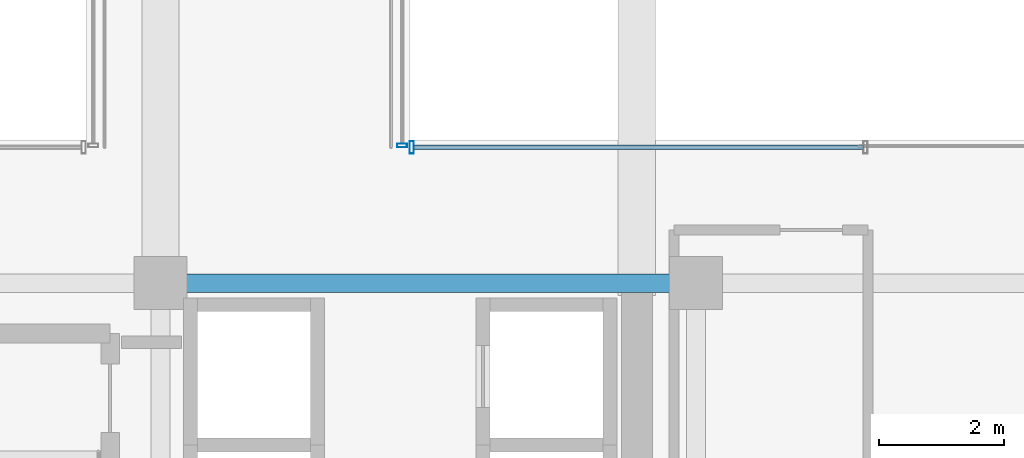
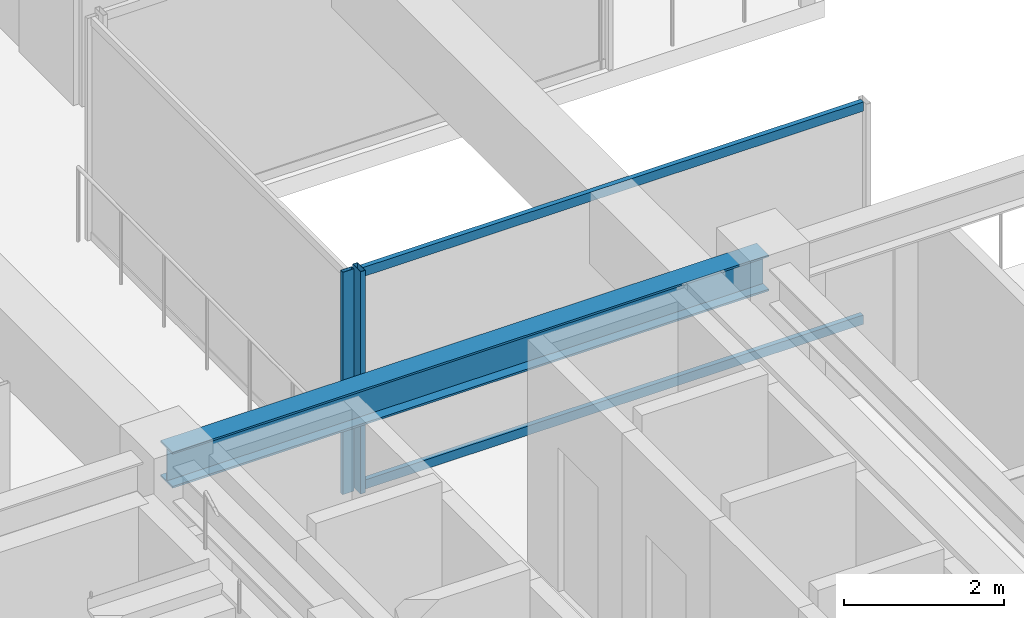
# One storey, part 15 of 38: 4 members, 1 beam, 2 elements without a shape of their own.
"""IFC4 building model written with IfcOpenShell, lengths in metres."""

from ifc_helpers import new_model, si_unit, direction, frame, origin, origin_2d, place, context, subcontext, project, spatial, hollow_rectangle, i_section, extrude, source, transform, mapped, material, material_profile, profile_set, type_object, element, aggregate, save


model = new_model("IFC4")

# Units and contexts
model_context = context("Model", 3, precision=1e-05, world=origin(), true_north=direction((0.0, 1.0)))
body_context = subcontext(model_context, "Body", "Model", "MODEL_VIEW")
ifc_project = project(units=[si_unit("LENGTHUNIT", "METRE"), si_unit("AREAUNIT", "SQUARE_METRE"), si_unit("VOLUMEUNIT", "CUBIC_METRE"), si_unit("PLANEANGLEUNIT", "RADIAN"), si_unit("MASSUNIT", "GRAM", prefix="KILO")], contexts=[model_context])

# Site, building, storey
site_placement = place(None, origin())
site = spatial("IfcSite", under=ifc_project, at=site_placement, CompositionType="ELEMENT")
building_placement = place(site_placement, origin())
building = spatial("IfcBuilding", under=site, at=building_placement, Name="Nahalor Promenade Grand Hotel", CompositionType="ELEMENT")
storey_placement = place(building_placement, frame((0.0, 0.0, 178.199951171875)))
storey = spatial("IfcBuildingStorey", under=building, at=storey_placement, Name="L45", CompositionType="ELEMENT", Elevation=178.199951171875)

# Beam
ifc_material_1 = material(Name="Steel S355JR", Category="steel")
ifc_material_profile_1 = material_profile(ifc_material_1, i_section(OverallWidth=0.3, OverallDepth=0.55, WebThickness=0.015, FlangeThickness=0.029, at=origin_2d()), Name="HEB 550")
ifc_profile_set_1 = profile_set([ifc_material_profile_1], Name="Steel S355JR")
beam_type = type_object("IfcBeamType", Name="Beam-Girder-HEB550", PredefinedType="BEAM", material=ifc_profile_set_1)
shared_shape_1 = source(origin(), body_context, "Body", "SweptSolid", [
    extrude(i_section(OverallWidth=0.3, OverallDepth=0.55, WebThickness=0.015, FlangeThickness=0.029, at=origin_2d()), origin(), (0.0, 0.0, 1.0), 8.60009765625),
])
beam_placement = place(storey_placement, frame((8.39990234375, -5.39990234375, 3.114990234375), z_axis=(1.0, 0.0, 0.0), x_axis=(0.0, 1.0, 0.0)))
element("IfcBeam", 1, at=beam_placement, inside=storey, type_object=beam_type, Name="BM-L45-GX-1-5", PredefinedType="BEAM", context=body_context, shape_type="MappedRepresentation", body=[
    mapped(shared_shape_1, transform((0.0, 0.0, 0.0), scale=1.0)),
])

# Curtain wall, members
ifc_material_2 = material(Name="Anodised Bronze Aluminium EN AW-6063 T6", Category="aluminium")
curtain_wall_type_1 = type_object("IfcCurtainWallType", Name="CW3 Elliptical-Void Collar Unitised Curtain Wall", PredefinedType="USERDEFINED", material=ifc_material_2)
curtain_wall_1_placement = place(storey_placement, origin())
curtain_wall_1 = element("IfcCurtainWall", 2, at=curtain_wall_1_placement, inside=storey, type_object=curtain_wall_type_1, Name="L45 Curtain Wall CW-L45-VOID-ES1", ObjectType="UNITISED_CURTAIN_WALL", PredefinedType="USERDEFINED")
ifc_material_profile_2 = material_profile(ifc_material_2, hollow_rectangle(XDim=0.07, YDim=0.2, WallThickness=0.005, at=origin_2d()), Name="CWM 70x200x5")
ifc_profile_set_2 = profile_set([ifc_material_profile_2], Name="Anodised Bronze Aluminium EN AW-6063 T6")
member_type_1 = type_object("IfcMemberType", Name="CWM3 Void Collar Mullion 70x200", PredefinedType="MULLION", material=ifc_profile_set_2)
shared_shape_2 = source(origin(), body_context, "Body", "SweptSolid", [
    extrude(hollow_rectangle(XDim=0.07, YDim=0.2, WallThickness=0.005, at=origin_2d()), origin(), (0.0, 0.0, 1.0), 3.39013671875),
])
member_1_placement = place(storey_placement, frame((12.43505859375, -3.219970703125, 0.0), z_axis=(0.0, 0.0, 1.0), x_axis=(1.0, 0.0, 0.0)))
member_1 = element("IfcMember", 3, at=member_1_placement, type_object=member_type_1, Name="CW-L45-VOID-ES1 Mullion 0", PredefinedType="MULLION", context=body_context, shape_type="MappedRepresentation", body=[
    mapped(shared_shape_2, transform((0.0, 0.0, 0.0), scale=1.0)),
])
ifc_material_profile_3 = material_profile(ifc_material_2, hollow_rectangle(XDim=0.07, YDim=0.14, WallThickness=0.004, at=origin_2d()), Name="CWT 70x140x4")
ifc_profile_set_3 = profile_set([ifc_material_profile_3], Name="Anodised Bronze Aluminium EN AW-6063 T6")
member_type_2 = type_object("IfcMemberType", Name="CWT3 Void Collar Transom 70x140", PredefinedType="USERDEFINED", material=ifc_profile_set_3)
shared_shape_3 = source(origin(), body_context, "Body", "SweptSolid", [
    extrude(hollow_rectangle(XDim=0.07, YDim=0.14, WallThickness=0.004, at=origin_2d()), origin(), (0.0, 0.0, 1.0), 7.219970703125),
])
member_2_placement = place(storey_placement, frame((12.469970703125, -3.219970703125, 0.070068359375), z_axis=(1.0, 0.0, 0.0), x_axis=(0.0, 1.0, 0.0)))
member_2 = element("IfcMember", 4, at=member_2_placement, type_object=member_type_2, Name="CW-L45-VOID-ES1 Transom 0-0", ObjectType="TRANSOM", PredefinedType="USERDEFINED", context=body_context, shape_type="MappedRepresentation", body=[
    mapped(shared_shape_3, transform((0.0, 0.0, 0.0), scale=1.0)),
])
member_3_placement = place(storey_placement, frame((12.469970703125, -3.219970703125, 3.320068359375), z_axis=(1.0, 0.0, 0.0), x_axis=(0.0, 1.0, 0.0)))
member_3 = element("IfcMember", 5, at=member_3_placement, type_object=member_type_2, Name="CW-L45-VOID-ES1 Transom 0-1", ObjectType="TRANSOM", PredefinedType="USERDEFINED", context=body_context, shape_type="MappedRepresentation", body=[
    mapped(shared_shape_3, transform((0.0, 0.0, 0.0), scale=1.0)),
])
aggregate(curtain_wall_1, [member_1, member_2, member_3])

# Curtain wall, member
curtain_wall_type_2 = type_object("IfcCurtainWallType", Name="CW4 Low-Iron Sky-Gallery Bridge Curtain Wall", PredefinedType="USERDEFINED", material=ifc_material_2)
curtain_wall_2_placement = place(storey_placement, origin())
curtain_wall_2 = element("IfcCurtainWall", 6, at=curtain_wall_2_placement, inside=storey, type_object=curtain_wall_type_2, Name="L45 Curtain Wall CW-L45-BRG-E", ObjectType="UNITISED_CURTAIN_WALL", PredefinedType="USERDEFINED")
ifc_material_profile_4 = material_profile(ifc_material_2, hollow_rectangle(XDim=0.06, YDim=0.16, WallThickness=0.004, at=origin_2d()), Name="CWM 60x160x4")
ifc_profile_set_4 = profile_set([ifc_material_profile_4], Name="Anodised Bronze Aluminium EN AW-6063 T6")
member_type_3 = type_object("IfcMemberType", Name="CWM4 Sky-Gallery Slim Mullion 60x160", PredefinedType="MULLION", material=ifc_profile_set_4)
shared_shape_4 = source(origin(), body_context, "Body", "SweptSolid", [
    extrude(hollow_rectangle(XDim=0.06, YDim=0.16, WallThickness=0.004, at=origin_2d()), origin(), (0.0, 0.0, 1.0), 3.39013671875),
])
member_4_placement = place(storey_placement, frame((12.280029296875, -3.18994140625, 0.0), z_axis=(0.0, 0.0, 1.0), x_axis=(0.0, 1.0, 0.0)))
member_4 = element("IfcMember", 7, at=member_4_placement, type_object=member_type_3, Name="CW-L45-BRG-E Mullion 0", PredefinedType="MULLION", context=body_context, shape_type="MappedRepresentation", body=[
    mapped(shared_shape_4, transform((0.0, 0.0, 0.0), scale=1.0)),
])
aggregate(curtain_wall_2, [member_4])

save(model, "model.ifc")
